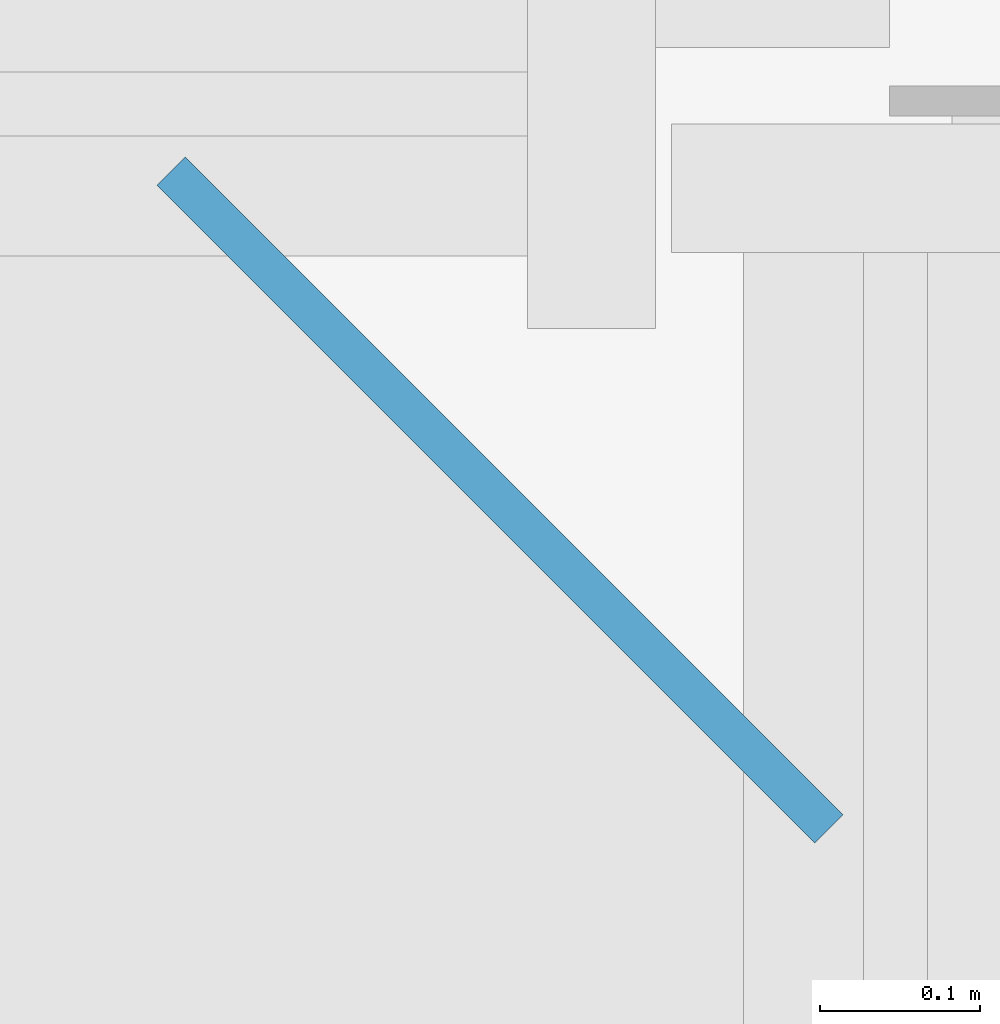
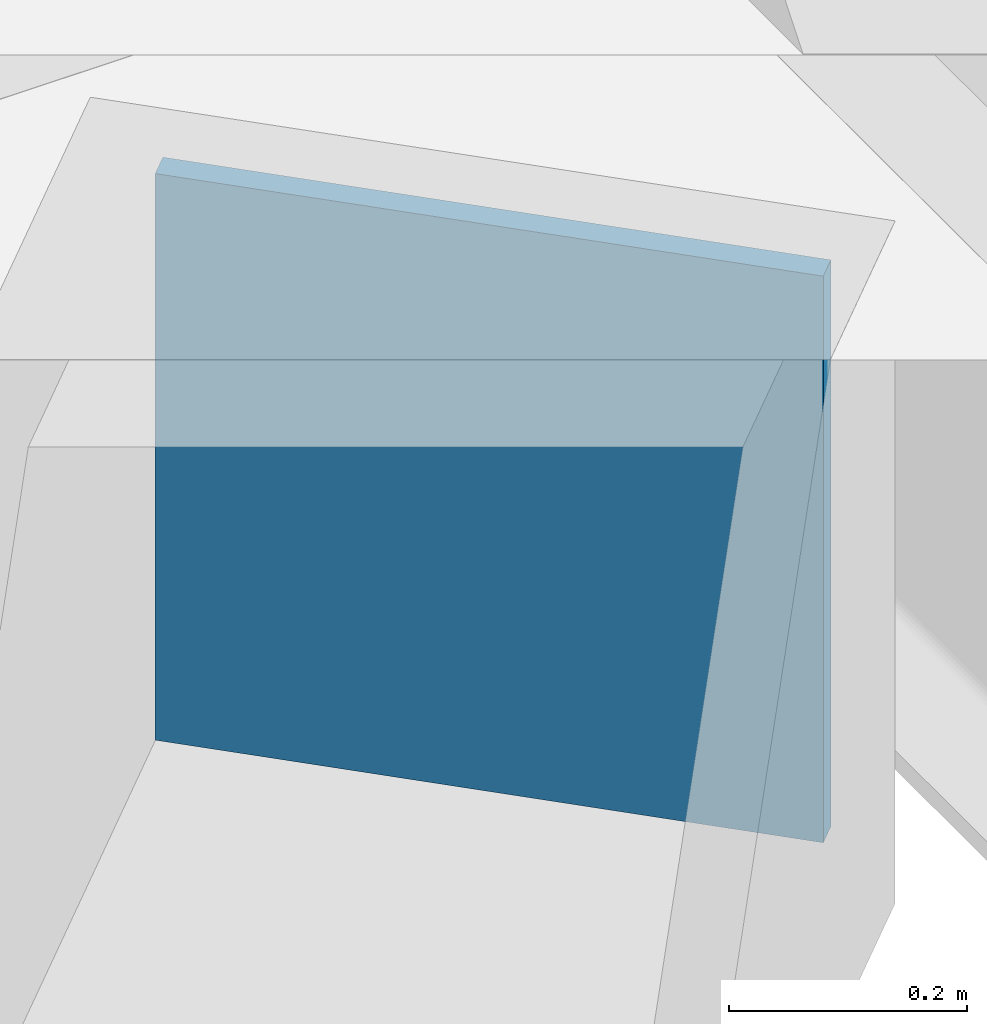
# One storey, part 17 of 21: 1 plate.
"""IFC4 building model written with IfcOpenShell, lengths in metres."""

from ifc_helpers import new_model, si_unit, direction, frame, origin, origin_2d, place, context, subcontext, project, spatial, rectangle, extrude, material, layer, layer_set, type_object, element, save


model = new_model("IFC4")

# Units and contexts
model_context = context("Model", 3, precision=1e-05, world=origin(), true_north=direction((0.0, 1.0)))
body_context = subcontext(model_context, "Body", "Model", "MODEL_VIEW")
ifc_project = project(units=[si_unit("LENGTHUNIT", "METRE"), si_unit("AREAUNIT", "SQUARE_METRE"), si_unit("VOLUMEUNIT", "CUBIC_METRE"), si_unit("PLANEANGLEUNIT", "RADIAN"), si_unit("MASSUNIT", "GRAM", prefix="KILO")], contexts=[model_context])

# Site, building, storey
site_placement = place(None, origin())
site = spatial("IfcSite", under=ifc_project, at=site_placement, CompositionType="ELEMENT")
building_placement = place(site_placement, origin())
building = spatial("IfcBuilding", under=site, at=building_placement, Name="Kopane Lantern Tower", CompositionType="ELEMENT")
storey_placement = place(building_placement, frame((0.0, 0.0, 298.5)))
storey = spatial("IfcBuildingStorey", under=building, at=storey_placement, Name="L76", CompositionType="ELEMENT", Elevation=298.5)

# Plate
ifc_material = material(Name="Steel S355JR", Category="steel")
ifc_layer = layer(ifc_material, 0.02490234375)
ifc_layer_set = layer_set([ifc_layer], Name="STEEL END CAP PLATE PL25")
plate_type = type_object("IfcPlateType", Name="STEEL END CAP PLATE PL25", PredefinedType="USERDEFINED", material=ifc_layer_set)
plate_placement = place(storey_placement, frame((52.2529296875, 60.352783203125, -0.8505859375), z_axis=(0.0, 0.0, 1.0), x_axis=(0.707106781187, 0.707106781187, 0.0)))
element("IfcPlate", 1, at=plate_placement, inside=storey, type_object=plate_type, Name="Corner tie beam end cap plate L76", ObjectType="PLATE", PredefinedType="USERDEFINED", context=body_context, shape_type="SweptSolid", body=[
    extrude(rectangle(XDim=0.02490234375, YDim=0.5810546875, at=origin_2d()), origin(), (0.0, 0.0, 1.0), 0.5810546875),
])

save(model, "model.ifc")
